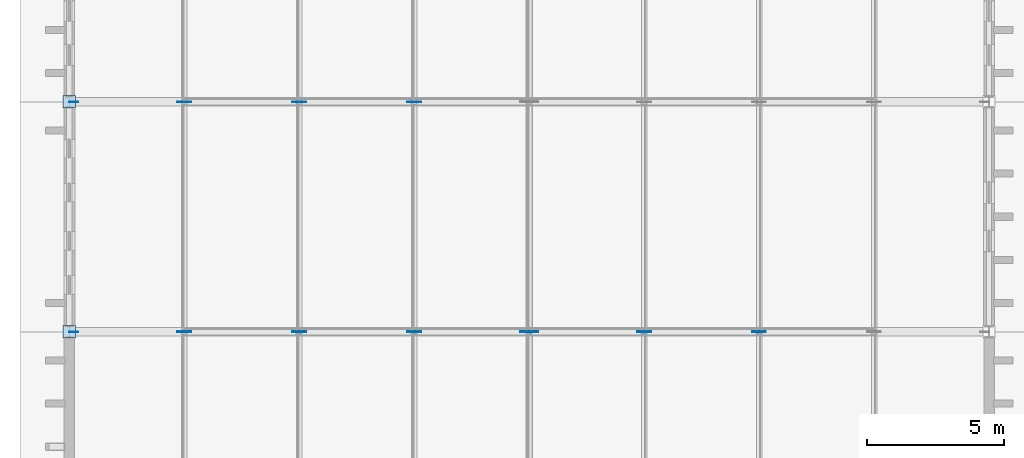
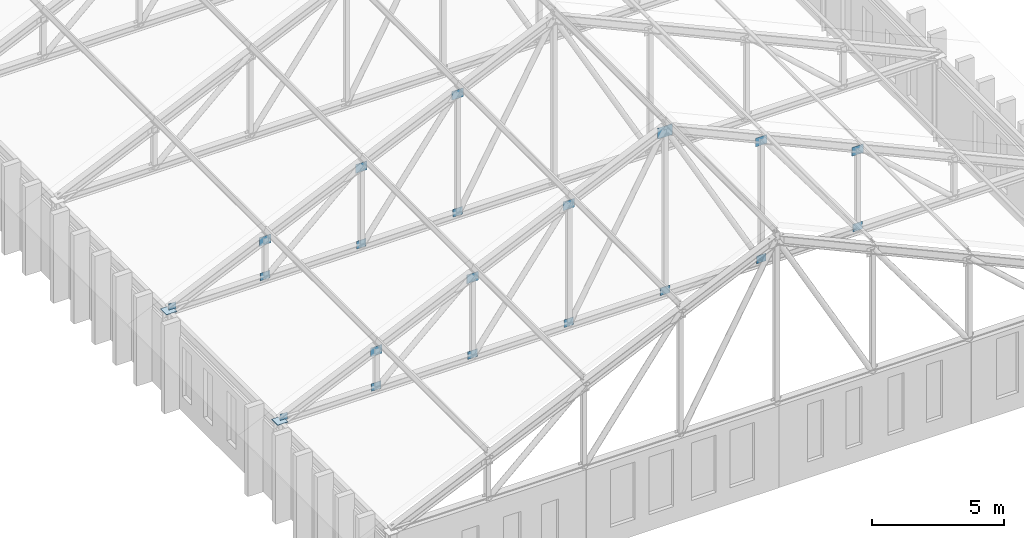
# One storey, part 66 of 110: 22 plates.
"""IFC4 building model written with IfcOpenShell, lengths in metres."""

from ifc_helpers import new_model, si_unit, direction, frame, origin, origin_2d, place, context, subcontext, project, spatial, rectangle, extrude, material, layer, layer_set, type_object, element, save


model = new_model("IFC4")

# Units and contexts
model_context = context("Model", 3, precision=1e-05, world=origin(), true_north=direction((0.0, 1.0)))
body_context = subcontext(model_context, "Body", "Model", "MODEL_VIEW")
ifc_project = project(units=[si_unit("LENGTHUNIT", "METRE"), si_unit("AREAUNIT", "SQUARE_METRE"), si_unit("VOLUMEUNIT", "CUBIC_METRE"), si_unit("PLANEANGLEUNIT", "RADIAN"), si_unit("MASSUNIT", "GRAM", prefix="KILO")], contexts=[model_context])

# Site, building, storey
site_placement = place(None, origin())
site = spatial("IfcSite", under=ifc_project, at=site_placement, CompositionType="ELEMENT")
building_placement = place(site_placement, origin())
building = spatial("IfcBuilding", under=site, at=building_placement, Name="Kveldsbrygga Polytechnic", CompositionType="ELEMENT")
storey_placement = place(building_placement, frame((0.0, 0.0, 9.860107421875)))
storey = spatial("IfcBuildingStorey", under=building, at=storey_placement, Name="L02", CompositionType="ELEMENT", Elevation=9.860107421875)

# Plates
ifc_material = material(Name="Steel S355", Category="steel")
ifc_layer_1 = layer(ifc_material, 0.030029296875)
ifc_layer_set_1 = layer_set([ifc_layer_1], Name="Steel S355")
plate_type_1 = type_object("IfcPlateType", Name="CAP-BEAR-450", PredefinedType="SHEET", material=ifc_layer_set_1)
for number, where, z_axis, x_axis, name in (
    (1, (0.0, 33.60009765625, 3.75), (0.0, 0.0, 1.0), (1.0, 0.0, 0.0), "Truss Bearing Plate V1W-T02-A"),
    (2, (0.0, 42.0, 3.75), (0.0, 0.0, 1.0), (1.0, 0.0, 0.0), "Truss Bearing Plate V1W-T03-A"),
):
    element("IfcPlate", number, at=place(storey_placement, frame(where, z_axis=z_axis, x_axis=x_axis)), inside=storey, type_object=plate_type_1, Name=name, PredefinedType="SHEET", context=body_context, shape_type="SweptSolid", body=[
        extrude(rectangle(XDim=0.449951171875, YDim=0.449951171875, at=origin_2d()), origin(), (0.0, 0.0, 1.0), 0.030029296875),
    ])
ifc_layer_2 = layer(ifc_material, 0.02490234375)
ifc_layer_set_2 = layer_set([ifc_layer_2], Name="Steel S355")
plate_type_2 = type_object("IfcPlateType", Name="GUS-APEX-650", PredefinedType="SHEET", material=ifc_layer_set_2)
plate_placement = place(storey_placement, frame((16.800048828125, 33.60009765625, 10.97998046875), z_axis=(0.0, 0.0, 1.0), x_axis=(1.0, 0.0, 0.0)))
element("IfcPlate", 3, at=plate_placement, inside=storey, type_object=plate_type_2, Name="Truss Gusset Plate V1W-T02-GP-4", PredefinedType="SHEET", context=body_context, shape_type="SweptSolid", body=[
    extrude(rectangle(XDim=0.64990234375, YDim=0.02490234375, at=origin_2d()), origin(), (0.0, 0.0, 1.0), 0.5),
])
ifc_layer_3 = layer(ifc_material, 0.01806640625)
ifc_layer_set_3 = layer_set([ifc_layer_3], Name="Steel S355")
plate_type_3 = type_object("IfcPlateType", Name="GUS-BRACE-320", PredefinedType="SHEET", material=ifc_layer_set_3)
for number, where, z_axis, x_axis, name in (
    (4, (0.159912109375, 33.60009765625, 3.73974609375), (0.0, 0.0, 1.0), (1.0, 0.0, 0.0), "Truss Eaves Node Gusset V1W-T02-EGP-A"),
    (5, (0.159912109375, 42.0, 3.73974609375), (0.0, 0.0, 1.0), (1.0, 0.0, 0.0), "Truss Eaves Node Gusset V1W-T03-EGP-A"),
):
    element("IfcPlate", number, at=place(storey_placement, frame(where, z_axis=z_axis, x_axis=x_axis)), inside=storey, type_object=plate_type_3, Name=name, PredefinedType="SHEET", context=body_context, shape_type="SweptSolid", body=[
        extrude(rectangle(XDim=0.320068359375, YDim=0.01806640625, at=origin_2d()), origin(), (0.0, 0.0, 1.0), 0.320068359375),
    ])
ifc_layer_4 = layer(ifc_material, 0.02001953125)
ifc_layer_set_4 = layer_set([ifc_layer_4], Name="Steel S355")
plate_type_4 = type_object("IfcPlateType", Name="GUS-LECT-420", PredefinedType="SHEET", material=ifc_layer_set_4)
for number, where, z_axis, x_axis, name in (
    (6, (4.199951171875, 33.60009765625, 3.724853515625), (0.0, 0.0, 1.0), (1.0, 0.0, 0.0), "Truss Bottom-Chord Node Gusset V1W-T02-BGP-1"),
    (7, (8.39990234375, 33.60009765625, 3.724853515625), (0.0, 0.0, 1.0), (1.0, 0.0, 0.0), "Truss Bottom-Chord Node Gusset V1W-T02-BGP-2"),
    (8, (12.60009765625, 33.60009765625, 3.724853515625), (0.0, 0.0, 1.0), (1.0, 0.0, 0.0), "Truss Bottom-Chord Node Gusset V1W-T02-BGP-3"),
    (9, (16.800048828125, 33.60009765625, 3.724853515625), (0.0, 0.0, 1.0), (1.0, 0.0, 0.0), "Truss Bottom-Chord Node Gusset V1W-T02-BGP-4"),
    (10, (21.0, 33.60009765625, 3.724853515625), (0.0, 0.0, 1.0), (1.0, 0.0, 0.0), "Truss Bottom-Chord Node Gusset V1W-T02-BGP-5"),
    (11, (25.199951171875, 33.60009765625, 3.724853515625), (0.0, 0.0, 1.0), (1.0, 0.0, 0.0), "Truss Bottom-Chord Node Gusset V1W-T02-BGP-6"),
    (12, (4.199951171875, 42.0, 3.724853515625), (0.0, 0.0, 1.0), (1.0, 0.0, 0.0), "Truss Bottom-Chord Node Gusset V1W-T03-BGP-1"),
    (13, (8.39990234375, 42.0, 3.724853515625), (0.0, 0.0, 1.0), (1.0, 0.0, 0.0), "Truss Bottom-Chord Node Gusset V1W-T03-BGP-2"),
    (14, (12.60009765625, 42.0, 3.724853515625), (0.0, 0.0, 1.0), (1.0, 0.0, 0.0), "Truss Bottom-Chord Node Gusset V1W-T03-BGP-3"),
):
    element("IfcPlate", number, at=place(storey_placement, frame(where, z_axis=z_axis, x_axis=x_axis)), inside=storey, type_object=plate_type_4, Name=name, PredefinedType="SHEET", context=body_context, shape_type="SweptSolid", body=[
        extrude(rectangle(XDim=0.419921875, YDim=0.02001953125, at=origin_2d()), origin(), (0.0, 0.0, 1.0), 0.35009765625),
    ])
ifc_layer_5 = layer(ifc_material, 0.02197265625)
ifc_layer_set_5 = layer_set([ifc_layer_5], Name="Steel S355")
plate_type_5 = type_object("IfcPlateType", Name="GUS-NODE-500", PredefinedType="SHEET", material=ifc_layer_set_5)
for number, where, z_axis, x_axis, name in (
    (15, (4.199951171875, 33.60009765625, 5.329833984375), (0.0, 0.0, 1.0), (1.0, 0.0, 0.0), "Truss Gusset Plate V1W-T02-GP-1"),
    (16, (8.39990234375, 33.60009765625, 7.22998046875), (0.0, 0.0, 1.0), (1.0, 0.0, 0.0), "Truss Gusset Plate V1W-T02-GP-2"),
    (17, (12.60009765625, 33.60009765625, 9.1298828125), (0.0, 0.0, 1.0), (1.0, 0.0, 0.0), "Truss Gusset Plate V1W-T02-GP-3"),
    (18, (21.0, 33.60009765625, 9.1298828125), (0.0, 0.0, 1.0), (1.0, 0.0, 0.0), "Truss Gusset Plate V1W-T02-GP-5"),
    (19, (25.199951171875, 33.60009765625, 7.22998046875), (0.0, 0.0, 1.0), (1.0, 0.0, 0.0), "Truss Gusset Plate V1W-T02-GP-6"),
    (20, (4.199951171875, 42.0, 5.329833984375), (0.0, 0.0, 1.0), (1.0, 0.0, 0.0), "Truss Gusset Plate V1W-T03-GP-1"),
    (21, (8.39990234375, 42.0, 7.22998046875), (0.0, 0.0, 1.0), (1.0, 0.0, 0.0), "Truss Gusset Plate V1W-T03-GP-2"),
    (22, (12.60009765625, 42.0, 9.1298828125), (0.0, 0.0, 1.0), (1.0, 0.0, 0.0), "Truss Gusset Plate V1W-T03-GP-3"),
):
    element("IfcPlate", number, at=place(storey_placement, frame(where, z_axis=z_axis, x_axis=x_axis)), inside=storey, type_object=plate_type_5, Name=name, PredefinedType="SHEET", context=body_context, shape_type="SweptSolid", body=[
        extrude(rectangle(XDim=0.5, YDim=0.02197265625, at=origin_2d()), origin(), (0.0, 0.0, 1.0), 0.39990234375),
    ])

save(model, "model.ifc")
